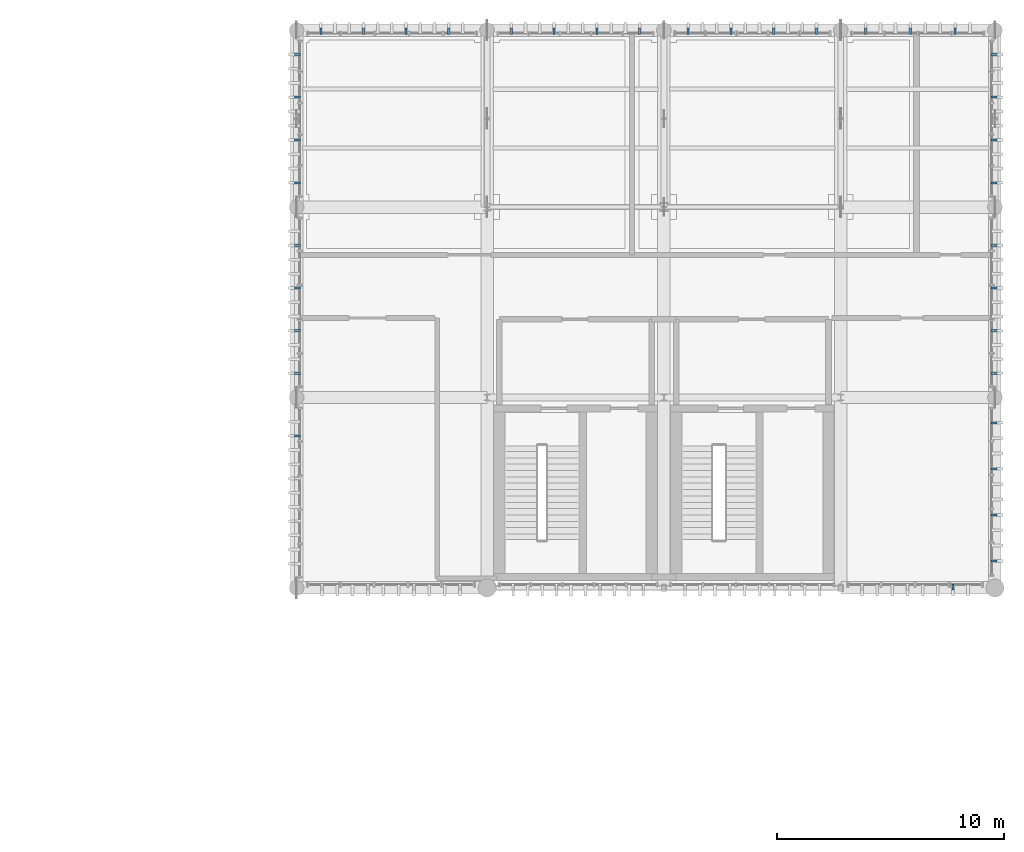
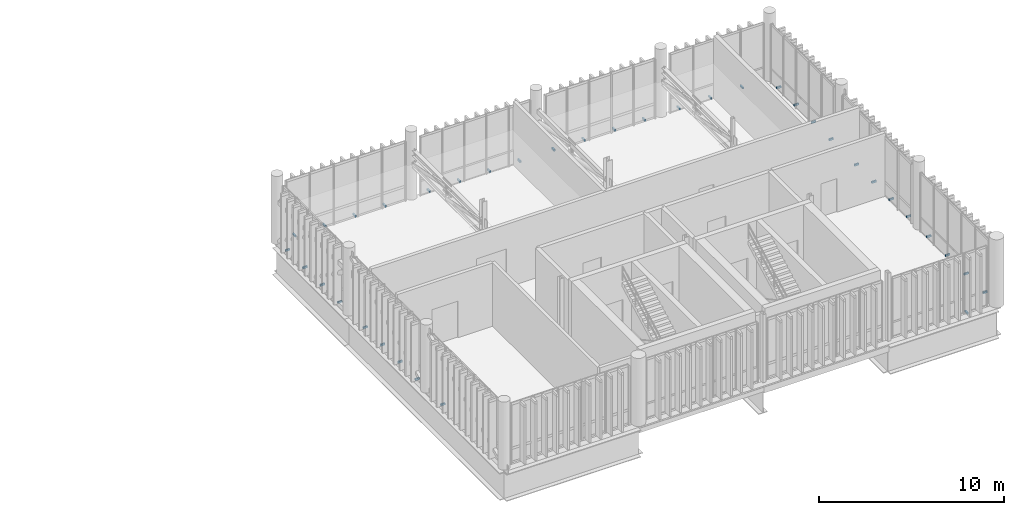
# One storey, part 50 of 53: 37 discrete accessories.
"""IFC4 building model written with IfcOpenShell, lengths in metres."""

from ifc_helpers import new_model, si_unit, direction, frame, origin_with_axes, origin_2d_with_axis, place, context, subcontext, project, spatial, rectangle, extrude, material, type_object, element, save


model = new_model("IFC4")

# Units and contexts
model_context = context("Model", 3, precision=1e-05, world=origin_with_axes(), true_north=direction((0.0, 1.0)))
body_context = subcontext(model_context, "Body", "Model", "MODEL_VIEW")
ifc_project = project(units=[si_unit("LENGTHUNIT", "METRE"), si_unit("AREAUNIT", "SQUARE_METRE"), si_unit("VOLUMEUNIT", "CUBIC_METRE"), si_unit("PLANEANGLEUNIT", "RADIAN"), si_unit("MASSUNIT", "GRAM", prefix="KILO"), si_unit("THERMODYNAMICTEMPERATUREUNIT", "KELVIN")], contexts=[model_context])

# Site, building, storey
site_placement = place(None, origin_with_axes())
site = spatial("IfcSite", under=ifc_project, at=site_placement, CompositionType="ELEMENT")
building_placement = place(site_placement, origin_with_axes())
building = spatial("IfcBuilding", under=site, at=building_placement, Name="Montbau Bow Law Courts", CompositionType="ELEMENT")
storey_placement = place(building_placement, frame((0.0, 0.0, 39.0), z_axis=(0.0, 0.0, 1.0), x_axis=(1.0, 0.0, 0.0)))
storey = spatial("IfcBuildingStorey", under=building, at=storey_placement, Name="L08", CompositionType="ELEMENT", Elevation=39.0)

# Discrete accessories
ifc_material = material(Name="Stainless Steel AISI 316L Outrigger Louvre Bracket", Category="steel")
discrete_accessory_type = type_object("IfcDiscreteAccessoryType", Name="DA-BRK-01", PredefinedType="BRACKET", material=ifc_material)
for number, where, z_axis, x_axis, name in (
    (1, (167.548, 86.44, 39.0), (0.0, 0.0, 1.0), (0.0, -1.0, 0.0), "BRK-L08-1239:brk_1239"),
    (2, (139.667, 110.96, 39.0), (0.0, 0.0, 1.0), (0.0, 1.0, 0.0), "BRK-L08-1240:brk_1240"),
    (3, (141.547, 110.96, 39.0), (0.0, 0.0, 1.0), (0.0, 1.0, 0.0), "BRK-L08-1241:brk_1241"),
    (4, (143.427, 110.96, 39.0), (0.0, 0.0, 1.0), (0.0, 1.0, 0.0), "BRK-L08-1242:brk_1242"),
    (5, (145.307, 110.96, 39.0), (0.0, 0.0, 1.0), (0.0, 1.0, 0.0), "BRK-L08-1243:brk_1243"),
    (6, (148.069, 110.96, 39.0), (0.0, 0.0, 1.0), (0.0, 1.0, 0.0), "BRK-L08-1244:brk_1244"),
    (7, (149.956, 110.96, 39.0), (0.0, 0.0, 1.0), (0.0, 1.0, 0.0), "BRK-L08-1245:brk_1245"),
    (8, (151.844, 110.96, 39.0), (0.0, 0.0, 1.0), (0.0, 1.0, 0.0), "BRK-L08-1246:brk_1246"),
    (9, (153.731, 110.96, 39.0), (0.0, 0.0, 1.0), (0.0, 1.0, 0.0), "BRK-L08-1247:brk_1247"),
    (10, (155.869, 110.96, 39.0), (0.0, 0.0, 1.0), (0.0, 1.0, 0.0), "BRK-L08-1248:brk_1248"),
    (11, (157.756, 110.96, 39.0), (0.0, 0.0, 1.0), (0.0, 1.0, 0.0), "BRK-L08-1249:brk_1249"),
    (12, (159.644, 110.96, 39.0), (0.0, 0.0, 1.0), (0.0, 1.0, 0.0), "BRK-L08-1250:brk_1250"),
    (13, (161.531, 110.96, 39.0), (0.0, 0.0, 1.0), (0.0, 1.0, 0.0), "BRK-L08-1251:brk_1251"),
    (14, (163.698, 110.96, 39.0), (0.0, 0.0, 1.0), (0.0, 1.0, 0.0), "BRK-L08-1252:brk_1252"),
    (15, (165.671, 110.96, 39.0), (0.0, 0.0, 1.0), (0.0, 1.0, 0.0), "BRK-L08-1253:brk_1253"),
    (16, (167.644, 110.96, 39.0), (0.0, 0.0, 1.0), (0.0, 1.0, 0.0), "BRK-L08-1254:brk_1254"),
    (17, (138.64, 93.107, 39.0), (0.0, 0.0, 1.0), (-1.0, 0.0, 0.0), "BRK-L08-1258:brk_1258"),
    (18, (138.64, 95.867, 39.0), (0.0, 0.0, 1.0), (-1.0, 0.0, 0.0), "BRK-L08-1259:brk_1259"),
    (19, (138.64, 97.747, 39.0), (0.0, 0.0, 1.0), (-1.0, 0.0, 0.0), "BRK-L08-1260:brk_1260"),
    (20, (138.64, 99.627, 39.0), (0.0, 0.0, 1.0), (-1.0, 0.0, 0.0), "BRK-L08-1261:brk_1261"),
    (21, (138.64, 101.507, 39.0), (0.0, 0.0, 1.0), (-1.0, 0.0, 0.0), "BRK-L08-1262:brk_1262"),
    (22, (138.64, 104.269, 39.0), (0.0, 0.0, 1.0), (-1.0, 0.0, 0.0), "BRK-L08-1263:brk_1263"),
    (23, (138.64, 106.156, 39.0), (0.0, 0.0, 1.0), (-1.0, 0.0, 0.0), "BRK-L08-1264:brk_1264"),
    (24, (138.64, 108.044, 39.0), (0.0, 0.0, 1.0), (-1.0, 0.0, 0.0), "BRK-L08-1265:brk_1265"),
    (25, (138.64, 109.931, 39.0), (0.0, 0.0, 1.0), (-1.0, 0.0, 0.0), "BRK-L08-1266:brk_1266"),
    (26, (169.36, 87.592, 39.0), (0.0, 0.0, 1.0), (1.0, 0.0, 0.0), "BRK-L08-1267:brk_1267"),
    (27, (169.36, 89.622, 39.0), (0.0, 0.0, 1.0), (1.0, 0.0, 0.0), "BRK-L08-1268:brk_1268"),
    (28, (169.36, 91.653, 39.0), (0.0, 0.0, 1.0), (1.0, 0.0, 0.0), "BRK-L08-1269:brk_1269"),
    (29, (169.36, 93.683, 39.0), (0.0, 0.0, 1.0), (1.0, 0.0, 0.0), "BRK-L08-1270:brk_1270"),
    (30, (169.36, 95.867, 39.0), (0.0, 0.0, 1.0), (1.0, 0.0, 0.0), "BRK-L08-1271:brk_1271"),
    (31, (169.36, 97.747, 39.0), (0.0, 0.0, 1.0), (1.0, 0.0, 0.0), "BRK-L08-1272:brk_1272"),
    (32, (169.36, 99.627, 39.0), (0.0, 0.0, 1.0), (1.0, 0.0, 0.0), "BRK-L08-1273:brk_1273"),
    (33, (169.36, 101.507, 39.0), (0.0, 0.0, 1.0), (1.0, 0.0, 0.0), "BRK-L08-1274:brk_1274"),
    (34, (169.36, 104.269, 39.0), (0.0, 0.0, 1.0), (1.0, 0.0, 0.0), "BRK-L08-1275:brk_1275"),
    (35, (169.36, 106.156, 39.0), (0.0, 0.0, 1.0), (1.0, 0.0, 0.0), "BRK-L08-1276:brk_1276"),
    (36, (169.36, 108.044, 39.0), (0.0, 0.0, 1.0), (1.0, 0.0, 0.0), "BRK-L08-1277:brk_1277"),
    (37, (169.36, 109.931, 39.0), (0.0, 0.0, 1.0), (1.0, 0.0, 0.0), "BRK-L08-1278:brk_1278"),
):
    element("IfcDiscreteAccessory", number, at=place(None, frame(where, z_axis=z_axis, x_axis=x_axis)), inside=storey, type_object=discrete_accessory_type, Name=name, PredefinedType="BRACKET", context=body_context, shape_type="SweptSolid", body=[
        extrude(rectangle(XDim=0.28, YDim=0.09, at=origin_2d_with_axis()), origin_with_axes(), (0.0, 0.0, 1.0), 0.12),
    ])

save(model, "model.ifc")
